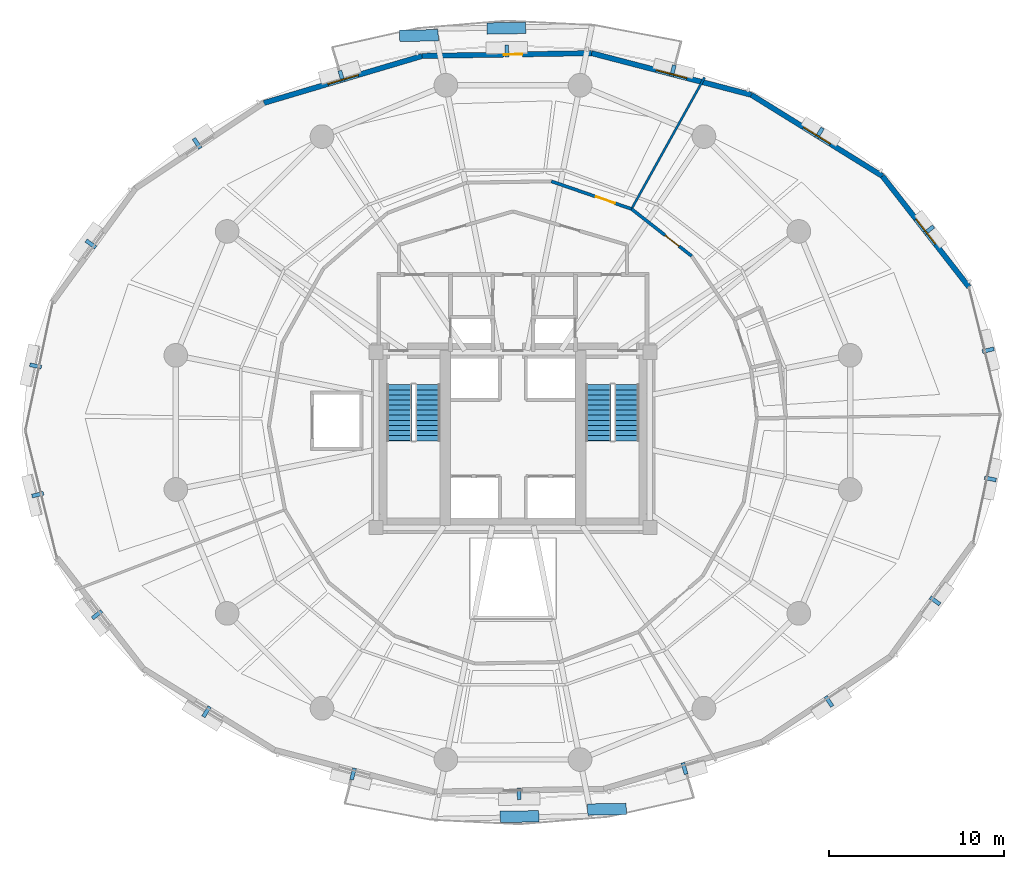
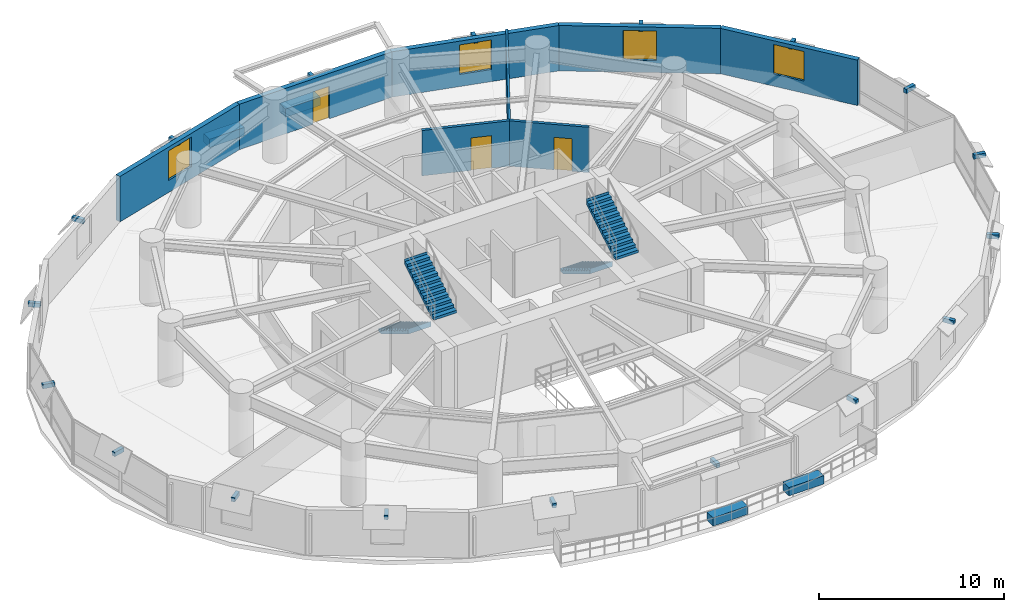
# One storey, part 14 of 17: 22 discrete accessories, 8 walls, 4 stair flights, 4 windows, 3 doors, 7 openings, 2 elements without a shape of their own.
"""IFC4 building model written with IfcOpenShell, lengths in metres."""

from ifc_helpers import new_model, si_unit, direction, frame, frame_2d, origin, origin_2d, place, context, subcontext, project, spatial, polyline, rectangle, outline, extrude, material, layer, layer_set, type_object, element, fill, aggregate, save


model = new_model("IFC4")

# Units and contexts
model_context = context("Model", 3, precision=1e-05, world=origin(), true_north=direction((0.0, 1.0)))
body_context = subcontext(model_context, "Body", "Model", "MODEL_VIEW")
ifc_project = project(units=[si_unit("LENGTHUNIT", "METRE"), si_unit("AREAUNIT", "SQUARE_METRE"), si_unit("VOLUMEUNIT", "CUBIC_METRE"), si_unit("PLANEANGLEUNIT", "RADIAN"), si_unit("MASSUNIT", "GRAM", prefix="KILO"), si_unit("THERMODYNAMICTEMPERATUREUNIT", "KELVIN"), si_unit("POWERUNIT", "WATT")], contexts=[model_context])

# Site, building, storey
site_placement = place(None, origin())
site = spatial("IfcSite", under=ifc_project, at=site_placement, CompositionType="ELEMENT")
building_placement = place(site_placement, origin())
building = spatial("IfcBuilding", under=site, at=building_placement, Name="Ocrelia Relay Tower", CompositionType="ELEMENT")
storey_placement = place(building_placement, frame((0.0, 0.0, 34.199951171875)))
storey = spatial("IfcBuildingStorey", under=building, at=storey_placement, Name="L07", CompositionType="ELEMENT", Elevation=34.199951171875)

# Wall, opening, door
ifc_material_1 = material(Name="Gypsum Fireboard Partition EI60", Category="gypsum")
ifc_layer_1 = layer(ifc_material_1, 0.179931640625, Name="Gypsum Fireboard Partition EI60")
ifc_layer_set_1 = layer_set([ifc_layer_1], Name="Gypsum Fireboard Partition EI60")
wall_type_1 = type_object("IfcWallType", Name="W-CORR-EI60-180", PredefinedType="PARTITIONING", material=ifc_layer_set_1)
wall_1_placement = place(storey_placement, frame((44.188720703125, 35.484619140625, 0.0), z_axis=(0.0, 0.0, 1.0), x_axis=(-0.787486072722, 0.616332447035, 0.0)))
wall_1 = element("IfcWall", 1, at=wall_1_placement, inside=storey, type_object=wall_type_1, Name="L07 Operations Control Office Corridor Partition 2", PredefinedType="PARTITIONING", context=body_context, shape_type="SweptSolid", body=[
    extrude(rectangle(XDim=4.35498046875, YDim=0.179931640625, at=frame_2d((2.177490234375, 0.0))), origin(), (0.0, 0.0, 1.0), 3.0),
])
opening_1_placement = place(wall_1_placement, frame((0.913818359375, 0.0, 0.0)))
opening_1 = element("IfcOpeningElement", 2, at=opening_1_placement, cuts=wall_1, Name="Opening D-RM100", PredefinedType="OPENING", context=body_context, shape_type="SweptSolid", body=[
    extrude(rectangle(XDim=1.0, YDim=2.14990234375, at=frame_2d((0.5, 1.074951171875))), frame((0.0, 0.10009765625, 0.0), z_axis=(0.0, -1.0, 0.0), x_axis=(1.0, 0.0, 0.0)), (0.0, 0.0, 1.0), 0.199951171875),
])
ifc_material_2 = material(Name="Acoustic oak veneer fire door", Category="wood")
door_type_1 = type_object("IfcDoorType", Name="DR-ROOM-FD60-1000", OperationType="NOTDEFINED", PredefinedType="DOOR", material=ifc_material_2)
door_1_placement = place(opening_1_placement, origin())
door_1 = element("IfcDoor", 3, at=door_1_placement, inside=storey, type_object=door_type_1, Name="L07 Operations Control Office Entrance Door", OperationType="SINGLE_SWING_RIGHT", OverallHeight=2.14990234375, OverallWidth=1.0, PredefinedType="DOOR", context=body_context, shape_type="SweptSolid", body=[
    extrude(rectangle(XDim=1.0, YDim=2.14990234375, at=frame_2d((0.5, 1.074951171875))), frame((0.0, 0.02490234375, 0.0), z_axis=(0.0, -1.0, 0.0), x_axis=(1.0, 0.0, 0.0)), (0.0, 0.0, 1.0), 0.050048828125),
])
fill(opening_1, door_1)

wall_2_placement = place(storey_placement, frame((40.75927734375, 38.168701171875, 0.0), z_axis=(0.0, 0.0, 1.0), x_axis=(-0.945234970724, 0.326390640369, 0.0)))
wall_2 = element("IfcWall", 4, at=wall_2_placement, inside=storey, type_object=wall_type_1, Name="L07 Colocation Data Hall A Corridor Partition 1", PredefinedType="PARTITIONING", context=body_context, shape_type="SweptSolid", body=[
    extrude(rectangle(XDim=4.834228515625, YDim=0.179931640625, at=frame_2d((2.4169921875, 0.0))), origin(), (0.0, 0.0, 1.0), 3.0),
])
opening_2_placement = place(wall_2_placement, frame((0.99609375, 0.0, 0.0)))
opening_2 = element("IfcOpeningElement", 5, at=opening_2_placement, cuts=wall_2, Name="Opening D-RM115", PredefinedType="OPENING", context=body_context, shape_type="SweptSolid", body=[
    extrude(rectangle(XDim=1.14990234375, YDim=2.14990234375, at=frame_2d((0.574951171875, 1.074951171875))), frame((0.0, 0.10009765625, 0.0), z_axis=(0.0, -1.0, 0.0), x_axis=(1.0, 0.0, 0.0)), (0.0, 0.0, 1.0), 0.199951171875),
])
ifc_material_3 = material(Name="Wide acoustic oak veneer fire door", Category="wood")
door_type_2 = type_object("IfcDoorType", Name="DR-ROOM-1150", OperationType="NOTDEFINED", PredefinedType="DOOR", material=ifc_material_3)
door_2_placement = place(opening_2_placement, origin())
door_2 = element("IfcDoor", 6, at=door_2_placement, inside=storey, type_object=door_type_2, Name="L07 Colocation Data Hall A Entrance Door", OperationType="SINGLE_SWING_LEFT", OverallHeight=2.14990234375, OverallWidth=1.14990234375, PredefinedType="DOOR", context=body_context, shape_type="SweptSolid", body=[
    extrude(rectangle(XDim=1.14990234375, YDim=2.14990234375, at=frame_2d((0.574951171875, 1.074951171875))), frame((0.0, 0.02490234375, 0.0), z_axis=(0.0, -1.0, 0.0), x_axis=(1.0, 0.0, 0.0)), (0.0, 0.0, 1.0), 0.050048828125),
])
fill(opening_2, door_2)

# Wall, opening, window
ifc_material_4 = material(Name="Precast concrete C40/50 with oxide terracotta", Category="masonry")
ifc_layer_2 = layer(ifc_material_4, 0.300048828125, Name="Precast concrete C40/50 with oxide terracotta")
ifc_layer_set_2 = layer_set([ifc_layer_2], Name="Precast concrete C40/50 with oxide terracotta")
wall_type_2 = type_object("IfcWallType", Name="W-EXT-TERR-300", PredefinedType="SOLIDWALL", material=ifc_layer_set_2)
wall_3_placement = place(storey_placement, frame((59.9990234375, 33.71728515625, 0.0), z_axis=(0.0, 0.0, 1.0), x_axis=(-0.61497048471, 0.788550127091, 0.0)))
wall_3 = element("IfcWall", 7, at=wall_3_placement, inside=storey, type_object=wall_type_2, Name="L07 Oxide Terracotta Facade Wall 02", PredefinedType="SOLIDWALL", context=body_context, shape_type="SweptSolid", body=[
    extrude(rectangle(XDim=8.021240234375, YDim=0.300048828125, at=frame_2d((4.0107421875, 0.0))), origin(), (0.0, 0.0, 1.0), 3.0),
])
opening_3_placement = place(wall_3_placement, frame((3.111083984375, 0.0, 0.800048828125)))
opening_3 = element("IfcOpeningElement", 8, at=opening_3_placement, cuts=wall_3, Name="Opening W-02", PredefinedType="OPENING", context=body_context, shape_type="SweptSolid", body=[
    extrude(rectangle(XDim=1.800048828125, YDim=1.949951171875, at=frame_2d((0.89990234375, 0.97509765625))), frame((0.0, 0.16015625, 0.0), z_axis=(0.0, -1.0, 0.0), x_axis=(1.0, 0.0, 0.0)), (0.0, 0.0, 1.0), 0.320068359375),
])
ifc_material_5 = material(Name="Clear double-glazed low-E glass", Category="glass")
window_type = type_object("IfcWindowType", Name="WIN-Z1-1800x2100", PartitioningType="DOUBLE_PANEL_VERTICAL", PredefinedType="WINDOW", material=ifc_material_5)
window_1_placement = place(opening_3_placement, origin())
window_1 = element("IfcWindow", 9, at=window_1_placement, inside=storey, type_object=window_type, Name="L07 Facade Module Window 02", OverallHeight=1.949951171875, OverallWidth=1.800048828125, PartitioningType="SINGLE_PANEL", PredefinedType="WINDOW", context=body_context, shape_type="SweptSolid", body=[
    extrude(rectangle(XDim=1.800048828125, YDim=1.949951171875, at=frame_2d((0.89990234375, 0.97509765625))), frame((0.0, 0.030029296875, 0.0), z_axis=(0.0, -1.0, 0.0), x_axis=(1.0, 0.0, 0.0)), (0.0, 0.0, 1.0), 0.06005859375),
])
fill(opening_3, window_1)

wall_4_placement = place(storey_placement, frame((55.066162109375, 40.04248046875, 0.0), z_axis=(0.0, 0.0, 1.0), x_axis=(-0.850002902168, 0.526778004767, 0.0)))
wall_4 = element("IfcWall", 10, at=wall_4_placement, inside=storey, type_object=wall_type_2, Name="L07 Oxide Terracotta Facade Wall 03", PredefinedType="SOLIDWALL", context=body_context, shape_type="SweptSolid", body=[
    extrude(rectangle(XDim=8.792724609375, YDim=0.300048828125, at=frame_2d((4.396484375, 0.0))), origin(), (0.0, 0.0, 1.0), 3.0),
])
opening_4_placement = place(wall_4_placement, frame((3.49609375, 0.0, 0.800048828125)))
opening_4 = element("IfcOpeningElement", 11, at=opening_4_placement, cuts=wall_4, Name="Opening W-02", PredefinedType="OPENING", context=body_context, shape_type="SweptSolid", body=[
    extrude(rectangle(XDim=1.800048828125, YDim=1.949951171875, at=frame_2d((0.89990234375, 0.97509765625))), frame((0.0, 0.16015625, 0.0), z_axis=(0.0, -1.0, 0.0), x_axis=(1.0, 0.0, 0.0)), (0.0, 0.0, 1.0), 0.320068359375),
])
window_2_placement = place(opening_4_placement, origin())
window_2 = element("IfcWindow", 12, at=window_2_placement, inside=storey, type_object=window_type, Name="L07 Facade Module Window 03", OverallHeight=1.949951171875, OverallWidth=1.800048828125, PartitioningType="SINGLE_PANEL", PredefinedType="WINDOW", context=body_context, shape_type="SweptSolid", body=[
    extrude(rectangle(XDim=1.800048828125, YDim=1.949951171875, at=frame_2d((0.89990234375, 0.97509765625))), frame((0.0, 0.030029296875, 0.0), z_axis=(0.0, -1.0, 0.0), x_axis=(1.0, 0.0, 0.0)), (0.0, 0.0, 1.0), 0.06005859375),
])
fill(opening_4, window_2)

wall_5_placement = place(storey_placement, frame((47.59228515625, 44.67431640625, 0.0), z_axis=(0.0, 0.0, 1.0), x_axis=(-0.967564951613, 0.252622375118, 0.0)))
wall_5 = element("IfcWall", 13, at=wall_5_placement, inside=storey, type_object=wall_type_2, Name="L07 Oxide Terracotta Facade Wall 04", PredefinedType="SOLIDWALL", context=body_context, shape_type="SweptSolid", body=[
    extrude(rectangle(XDim=9.418701171875, YDim=0.300048828125, at=frame_2d((4.70947265625, 0.0))), origin(), (0.0, 0.0, 1.0), 3.0),
])
opening_5_placement = place(wall_5_placement, frame((3.80908203125, 0.0, 0.800048828125)))
opening_5 = element("IfcOpeningElement", 14, at=opening_5_placement, cuts=wall_5, Name="Opening W-02", PredefinedType="OPENING", context=body_context, shape_type="SweptSolid", body=[
    extrude(rectangle(XDim=1.800048828125, YDim=1.949951171875, at=frame_2d((0.89990234375, 0.97509765625))), frame((0.0, 0.16015625, 0.0), z_axis=(0.0, -1.0, 0.0), x_axis=(1.0, 0.0, 0.0)), (0.0, 0.0, 1.0), 0.320068359375),
])
window_3_placement = place(opening_5_placement, origin())
window_3 = element("IfcWindow", 15, at=window_3_placement, inside=storey, type_object=window_type, Name="L07 Facade Module Window 04", OverallHeight=1.949951171875, OverallWidth=1.800048828125, PartitioningType="SINGLE_PANEL", PredefinedType="WINDOW", context=body_context, shape_type="SweptSolid", body=[
    extrude(rectangle(XDim=1.800048828125, YDim=1.949951171875, at=frame_2d((0.89990234375, 0.97509765625))), frame((0.0, 0.030029296875, 0.0), z_axis=(0.0, -1.0, 0.0), x_axis=(1.0, 0.0, 0.0)), (0.0, 0.0, 1.0), 0.06005859375),
])
fill(opening_5, window_3)

# Wall, opening, door
wall_6_placement = place(storey_placement, frame((38.47900390625, 47.0537109375, 0.0), z_axis=(0.0, 0.0, 1.0), x_axis=(-0.999862408139, -0.016588091847, 0.0)))
wall_6 = element("IfcWall", 16, at=wall_6_placement, inside=storey, type_object=wall_type_2, Name="L07 Oxide Terracotta Facade Wall 05", PredefinedType="SOLIDWALL", context=body_context, shape_type="SweptSolid", body=[
    extrude(rectangle(XDim=9.65478515625, YDim=0.300048828125, at=frame_2d((4.827392578125, 0.0))), origin(), (0.0, 0.0, 1.0), 3.0),
])
opening_6_placement = place(wall_6_placement, frame((3.949951171875, 0.0, 0.0)))
opening_6 = element("IfcOpeningElement", 17, at=opening_6_placement, cuts=wall_6, Name="Opening DB-105", PredefinedType="OPENING", context=body_context, shape_type="SweptSolid", body=[
    extrude(rectangle(XDim=1.050048828125, YDim=2.14990234375, at=frame_2d((0.52490234375, 1.074951171875))), frame((0.0, 0.16015625, 0.0), z_axis=(0.0, -1.0, 0.0), x_axis=(1.0, 0.0, 0.0)), (0.0, 0.0, 1.0), 0.320068359375),
])
ifc_material_6 = material(Name="Thermally broken aluminium and clear glass", Category="aluminium")
door_type_3 = type_object("IfcDoorType", Name="DR-BALC-1050", OperationType="NOTDEFINED", PredefinedType="DOOR", material=ifc_material_6)
door_3_placement = place(opening_6_placement, origin())
door_3 = element("IfcDoor", 18, at=door_3_placement, inside=storey, type_object=door_type_3, Name="L07 Planted Loggia Balcony Door B1", OperationType="SINGLE_SWING_LEFT", OverallHeight=2.14990234375, OverallWidth=1.050048828125, PredefinedType="DOOR", context=body_context, shape_type="SweptSolid", body=[
    extrude(rectangle(XDim=1.050048828125, YDim=2.14990234375, at=frame_2d((0.52490234375, 1.074951171875))), frame((0.0, 0.02490234375, 0.0), z_axis=(0.0, -1.0, 0.0), x_axis=(1.0, 0.0, 0.0)), (0.0, 0.0, 1.0), 0.050048828125),
])
fill(opening_6, door_3)

# Wall, opening, window
wall_7_placement = place(storey_placement, frame((28.825439453125, 46.8935546875, 0.0), z_axis=(0.0, 0.0, 1.0), x_axis=(-0.958658357461, -0.284559578418, 0.0)))
wall_7 = element("IfcWall", 19, at=wall_7_placement, inside=storey, type_object=wall_type_2, Name="L07 Oxide Terracotta Facade Wall 06", PredefinedType="SOLIDWALL", context=body_context, shape_type="SweptSolid", body=[
    extrude(rectangle(XDim=9.418701171875, YDim=0.300048828125, at=frame_2d((4.70947265625, 0.0))), origin(), (0.0, 0.0, 1.0), 3.0),
])
opening_7_placement = place(wall_7_placement, frame((3.80908203125, 0.0, 0.800048828125)))
opening_7 = element("IfcOpeningElement", 20, at=opening_7_placement, cuts=wall_7, Name="Opening W-02", PredefinedType="OPENING", context=body_context, shape_type="SweptSolid", body=[
    extrude(rectangle(XDim=1.800048828125, YDim=1.949951171875, at=frame_2d((0.89990234375, 0.97509765625))), frame((0.0, 0.16015625, 0.0), z_axis=(0.0, -1.0, 0.0), x_axis=(1.0, 0.0, 0.0)), (0.0, 0.0, 1.0), 0.320068359375),
])
window_4_placement = place(opening_7_placement, origin())
window_4 = element("IfcWindow", 21, at=window_4_placement, inside=storey, type_object=window_type, Name="L07 Facade Module Window 06", OverallHeight=1.949951171875, OverallWidth=1.800048828125, PartitioningType="SINGLE_PANEL", PredefinedType="WINDOW", context=body_context, shape_type="SweptSolid", body=[
    extrude(rectangle(XDim=1.800048828125, YDim=1.949951171875, at=frame_2d((0.89990234375, 0.97509765625))), frame((0.0, 0.030029296875, 0.0), z_axis=(0.0, -1.0, 0.0), x_axis=(1.0, 0.0, 0.0)), (0.0, 0.0, 1.0), 0.06005859375),
])
fill(opening_7, window_4)

# Wall
ifc_material_7 = material(Name="Acoustic Fireboard Partition EI60", Category="gypsum")
ifc_layer_3 = layer(ifc_material_7, 0.125, Name="Acoustic Fireboard Partition EI60")
ifc_layer_set_3 = layer_set([ifc_layer_3], Name="Acoustic Fireboard Partition EI60")
wall_type_3 = type_object("IfcWallType", Name="W-PART-125", PredefinedType="PARTITIONING", material=ifc_layer_set_3)
wall_8_placement = place(storey_placement, frame((40.75927734375, 38.168701171875, 0.0), z_axis=(0.0, 0.0, 1.0), x_axis=(0.48555829942, 0.874204288404, 0.0)))
element("IfcWall", 22, at=wall_8_placement, inside=storey, type_object=wall_type_3, Name="L07 Operations Control Office Radial Partition", PredefinedType="PARTITIONING", context=body_context, shape_type="SweptSolid", body=[
    extrude(rectangle(XDim=8.57275390625, YDim=0.125, at=frame_2d((4.286376953125, 0.0))), origin(), (0.0, 0.0, 1.0), 3.0),
])

# Stair, stair flights
ifc_material_8 = material(Name="Concrete C50/60", Category="concrete")
stair_type = type_object("IfcStairType", Name="ST-DL-1420-R175", PredefinedType="HALF_TURN_STAIR", material=ifc_material_8)
stair_1_placement = place(storey_placement, origin())
stair_1 = element("IfcStair", 23, at=stair_1_placement, inside=storey, type_object=stair_type, Name="L07 West Core Exit Stair ST1", PredefinedType="HALF_TURN_STAIR")
stair_flight_type = type_object("IfcStairFlightType", Name="STF-DL-1420-R175", PredefinedType="STRAIGHT", material=ifc_material_8)
stair_flight_1_placement = place(storey_placement, frame((27.52001953125, 28.14990234375, 0.0), z_axis=(0.0, 0.0, 1.0), x_axis=(0.0, -1.0, 0.0)))
stair_flight_1 = element("IfcStairFlight", 24, at=stair_flight_1_placement, type_object=stair_flight_type, Name="ST1 flight 1", NumberOfRisers=12, NumberOfTreads=11, PredefinedType="STRAIGHT", RiserHeight=0.175, TreadLength=0.29, context=body_context, shape_type="SweptSolid", body=[
    extrude(outline(polyline([(-0.008056640625, 0.0), (-0.008056640625, 0.175048828125), (0.0, 0.175048828125), (0.2900390625, 0.175048828125), (0.2900390625, 0.35009765625), (0.580078125, 0.35009765625), (0.580078125, 0.52490234375), (0.8701171875, 0.52490234375), (0.8701171875, 0.699951171875), (1.159912109375, 0.699951171875), (1.159912109375, 0.875), (1.449951171875, 0.875), (1.449951171875, 1.050048828125), (1.739990234375, 1.050048828125), (1.739990234375, 1.22509765625), (2.030029296875, 1.22509765625), (2.030029296875, 1.39990234375), (2.320068359375, 1.39990234375), (2.320068359375, 1.574951171875), (2.610107421875, 1.574951171875), (2.610107421875, 1.75), (2.89990234375, 1.75), (2.89990234375, 1.925048828125), (3.18994140625, 1.925048828125), (3.18994140625, 2.10009765625), (3.197998046875, 2.10009765625), (3.197998046875, 1.75), (0.2900390625, 0.0), (-0.008056640625, 0.0)])), frame((0.0, 0.7099609375, 0.0), z_axis=(0.0, -1.0, 0.0), x_axis=(1.0, 0.0, 0.0)), (0.0, 0.0, 1.0), 1.419921875),
])
stair_flight_2_placement = place(storey_placement, frame((29.139892578125, 24.9599609375, 2.10009765625), z_axis=(0.0, 0.0, 1.0), x_axis=(0.0, 1.0, 0.0)))
stair_flight_2 = element("IfcStairFlight", 25, at=stair_flight_2_placement, type_object=stair_flight_type, Name="ST1 flight 2", NumberOfRisers=12, NumberOfTreads=11, PredefinedType="STRAIGHT", RiserHeight=0.175, TreadLength=0.29, context=body_context, shape_type="SweptSolid", body=[
    extrude(outline(polyline([(-0.008056640625, 0.0), (-0.008056640625, 0.175048828125), (0.0, 0.175048828125), (0.2900390625, 0.175048828125), (0.2900390625, 0.35009765625), (0.580078125, 0.35009765625), (0.580078125, 0.52490234375), (0.8701171875, 0.52490234375), (0.8701171875, 0.699951171875), (1.159912109375, 0.699951171875), (1.159912109375, 0.875), (1.449951171875, 0.875), (1.449951171875, 1.050048828125), (1.739990234375, 1.050048828125), (1.739990234375, 1.22509765625), (2.030029296875, 1.22509765625), (2.030029296875, 1.39990234375), (2.320068359375, 1.39990234375), (2.320068359375, 1.574951171875), (2.610107421875, 1.574951171875), (2.610107421875, 1.75), (2.89990234375, 1.75), (2.89990234375, 1.925048828125), (3.18994140625, 1.925048828125), (3.18994140625, 2.10009765625), (3.197998046875, 2.10009765625), (3.197998046875, 1.75), (0.2900390625, 0.0), (-0.008056640625, 0.0)])), frame((0.0, 0.7099609375, 0.0), z_axis=(0.0, -1.0, 0.0), x_axis=(1.0, 0.0, 0.0)), (0.0, 0.0, 1.0), 1.419921875),
])
aggregate(stair_1, [stair_flight_1, stair_flight_2])

stair_2_placement = place(storey_placement, origin())
stair_2 = element("IfcStair", 26, at=stair_2_placement, inside=storey, type_object=stair_type, Name="L07 East Core Exit Stair ST2", PredefinedType="HALF_TURN_STAIR")
stair_flight_3_placement = place(storey_placement, frame((38.8701171875, 28.14990234375, 0.0), z_axis=(0.0, 0.0, 1.0), x_axis=(0.0, -1.0, 0.0)))
stair_flight_3 = element("IfcStairFlight", 27, at=stair_flight_3_placement, type_object=stair_flight_type, Name="ST2 flight 1", NumberOfRisers=12, NumberOfTreads=11, PredefinedType="STRAIGHT", RiserHeight=0.175, TreadLength=0.29, context=body_context, shape_type="SweptSolid", body=[
    extrude(outline(polyline([(-0.008056640625, 0.0), (-0.008056640625, 0.175048828125), (0.0, 0.175048828125), (0.2900390625, 0.175048828125), (0.2900390625, 0.35009765625), (0.580078125, 0.35009765625), (0.580078125, 0.52490234375), (0.8701171875, 0.52490234375), (0.8701171875, 0.699951171875), (1.159912109375, 0.699951171875), (1.159912109375, 0.875), (1.449951171875, 0.875), (1.449951171875, 1.050048828125), (1.739990234375, 1.050048828125), (1.739990234375, 1.22509765625), (2.030029296875, 1.22509765625), (2.030029296875, 1.39990234375), (2.320068359375, 1.39990234375), (2.320068359375, 1.574951171875), (2.610107421875, 1.574951171875), (2.610107421875, 1.75), (2.89990234375, 1.75), (2.89990234375, 1.925048828125), (3.18994140625, 1.925048828125), (3.18994140625, 2.10009765625), (3.197998046875, 2.10009765625), (3.197998046875, 1.75), (0.2900390625, 0.0), (-0.008056640625, 0.0)])), frame((0.0, 0.7099609375, 0.0), z_axis=(0.0, -1.0, 0.0), x_axis=(1.0, 0.0, 0.0)), (0.0, 0.0, 1.0), 1.419921875),
])
stair_flight_4_placement = place(storey_placement, frame((40.489990234375, 24.9599609375, 2.10009765625), z_axis=(0.0, 0.0, 1.0), x_axis=(0.0, 1.0, 0.0)))
stair_flight_4 = element("IfcStairFlight", 28, at=stair_flight_4_placement, type_object=stair_flight_type, Name="ST2 flight 2", NumberOfRisers=12, NumberOfTreads=11, PredefinedType="STRAIGHT", RiserHeight=0.175, TreadLength=0.29, context=body_context, shape_type="SweptSolid", body=[
    extrude(outline(polyline([(-0.008056640625, 0.0), (-0.008056640625, 0.175048828125), (0.0, 0.175048828125), (0.2900390625, 0.175048828125), (0.2900390625, 0.35009765625), (0.580078125, 0.35009765625), (0.580078125, 0.52490234375), (0.8701171875, 0.52490234375), (0.8701171875, 0.699951171875), (1.159912109375, 0.699951171875), (1.159912109375, 0.875), (1.449951171875, 0.875), (1.449951171875, 1.050048828125), (1.739990234375, 1.050048828125), (1.739990234375, 1.22509765625), (2.030029296875, 1.22509765625), (2.030029296875, 1.39990234375), (2.320068359375, 1.39990234375), (2.320068359375, 1.574951171875), (2.610107421875, 1.574951171875), (2.610107421875, 1.75), (2.89990234375, 1.75), (2.89990234375, 1.925048828125), (3.18994140625, 1.925048828125), (3.18994140625, 2.10009765625), (3.197998046875, 2.10009765625), (3.197998046875, 1.75), (0.2900390625, 0.0), (-0.008056640625, 0.0)])), frame((0.0, 0.7099609375, 0.0), z_axis=(0.0, -1.0, 0.0), x_axis=(1.0, 0.0, 0.0)), (0.0, 0.0, 1.0), 1.419921875),
])
aggregate(stair_2, [stair_flight_3, stair_flight_4])

# Discrete accessories
ifc_material_9 = material(Name="Precast concrete C40/50 planter with highland greenery", Category="concrete")
discrete_accessory_type_1 = type_object("IfcDiscreteAccessoryType", Name="ACC-BALC-PLANTER", PredefinedType="USERDEFINED", material=ifc_material_9)
for number, where, z_axis, x_axis, name in (
    (29, (33.627197265625, 48.474365234375, 0.0), (0.0, 0.0, 1.0), (0.999862507672, 0.016582091274, 0.0), "L07 Balcony Terracotta Planter with Greenery B1"),
    (30, (28.639892578125, 48.05615234375, 0.0), (0.0, 0.0, 1.0), (0.999862507672, 0.016582091274, 0.0), "L07 Balcony Terracotta Planter B1-2"),
    (31, (34.372802734375, 3.525634765625, 0.0), (0.0, 0.0, 1.0), (-0.999862507672, -0.016582091274, 0.0), "L07 Balcony Terracotta Planter with Greenery B2"),
    (32, (39.360107421875, 3.94384765625, 0.0), (0.0, 0.0, 1.0), (-0.999862507672, -0.016582091274, 0.0), "L07 Balcony Terracotta Planter B2-2"),
):
    element("IfcDiscreteAccessory", number, at=place(storey_placement, frame(where, z_axis=z_axis, x_axis=x_axis)), inside=storey, type_object=discrete_accessory_type_1, Name=name, ObjectType="PLANTER", PredefinedType="USERDEFINED", context=body_context, shape_type="SweptSolid", body=[
        extrude(rectangle(XDim=2.199951171875, YDim=0.64990234375, at=origin_2d()), origin(), (0.0, 0.0, 1.0), 0.550048828125),
    ])
ifc_material_10 = material(Name="Steel S355", Category="steel")
discrete_accessory_type_2 = type_object("IfcDiscreteAccessoryType", Name="ACC-VISOR-BRACKET", PredefinedType="BRACKET", material=ifc_material_10)
for number, where, z_axis, x_axis, name in (
    (33, (61.095458984375, 30.119140625, 2.7001953125), (0.0, 0.0, 1.0), (-0.240397865841, 0.970674438779, 0.0), "L07 Visor Mounting Bracket 01"),
    (34, (57.714111328125, 36.9638671875, 2.7001953125), (0.0, 0.0, 1.0), (-0.614968860036, 0.788551394131, 0.0), "L07 Visor Mounting Bracket 02"),
    (35, (51.474609375, 42.49560546875, 2.7001953125), (0.0, 0.0, 1.0), (-0.850007396086, 0.526770753364, 0.0), "L07 Visor Mounting Bracket 03"),
    (36, (43.118408203125, 46.0458984375, 2.7001953125), (0.0, 0.0, 1.0), (-0.967567531803, 0.252612492565, 0.0), "L07 Visor Mounting Bracket 04"),
    (37, (33.64892578125, 47.173583984375, 2.7001953125), (0.0, 0.0, 1.0), (-0.999862502916, -0.01658237808, 0.0), "L07 Visor Mounting Bracket 05"),
    (38, (24.221923828125, 45.732666015625, 2.7001953125), (0.0, 0.0, 1.0), (-0.958658542591, -0.28455895473, 0.0), "L07 Visor Mounting Bracket 06"),
    (39, (15.988037109375, 41.9072265625, 2.7001953125), (0.0, 0.0, 1.0), (-0.832080038221, -0.554655577808, 0.0), "L07 Visor Mounting Bracket 07"),
    (40, (9.935302734375, 36.17138671875, 2.7001953125), (0.0, 0.0, 1.0), (-0.58847927346, -0.808512303375, 0.0), "L07 Visor Mounting Bracket 08"),
    (41, (6.782958984375, 29.218505859375, 2.7001953125), (0.0, 0.0, 1.0), (-0.208094574378, -0.978108709763, 0.0), "L07 Visor Mounting Bracket 09"),
    (42, (6.904541015625, 21.880859375, 2.7001953125), (0.0, 0.0, 1.0), (0.240397865841, -0.970674438779, 0.0), "L07 Visor Mounting Bracket 10"),
    (43, (10.285888671875, 15.0361328125, 2.7001953125), (0.0, 0.0, 1.0), (0.614968860036, -0.788551394131, 0.0), "L07 Visor Mounting Bracket 11"),
    (44, (16.525390625, 9.50439453125, 2.7001953125), (0.0, 0.0, 1.0), (0.850007396086, -0.526770753364, 0.0), "L07 Visor Mounting Bracket 12"),
    (45, (24.881591796875, 5.9541015625, 2.7001953125), (0.0, 0.0, 1.0), (0.967567531803, -0.252612492565, 0.0), "L07 Visor Mounting Bracket 13"),
    (46, (34.35107421875, 4.826416015625, 2.7001953125), (0.0, 0.0, 1.0), (0.999862502916, 0.01658237808, 0.0), "L07 Visor Mounting Bracket 14"),
    (47, (43.778076171875, 6.267333984375, 2.7001953125), (0.0, 0.0, 1.0), (0.958658542591, 0.28455895473, 0.0), "L07 Visor Mounting Bracket 15"),
    (48, (52.011962890625, 10.0927734375, 2.7001953125), (0.0, 0.0, 1.0), (0.832080038221, 0.554655577808, 0.0), "L07 Visor Mounting Bracket 16"),
    (49, (58.064697265625, 15.82861328125, 2.7001953125), (0.0, 0.0, 1.0), (0.58847927346, 0.808512303375, 0.0), "L07 Visor Mounting Bracket 17"),
    (50, (61.217041015625, 22.781494140625, 2.7001953125), (0.0, 0.0, 1.0), (0.208094574378, 0.978108709763, 0.0), "L07 Visor Mounting Bracket 18"),
):
    element("IfcDiscreteAccessory", number, at=place(storey_placement, frame(where, z_axis=z_axis, x_axis=x_axis)), inside=storey, type_object=discrete_accessory_type_2, Name=name, PredefinedType="BRACKET", context=body_context, shape_type="SweptSolid", body=[
        extrude(rectangle(XDim=0.219970703125, YDim=0.679931640625, at=origin_2d()), origin(), (0.0, 0.0, 1.0), 0.280029296875),
    ])

save(model, "model.ifc")
